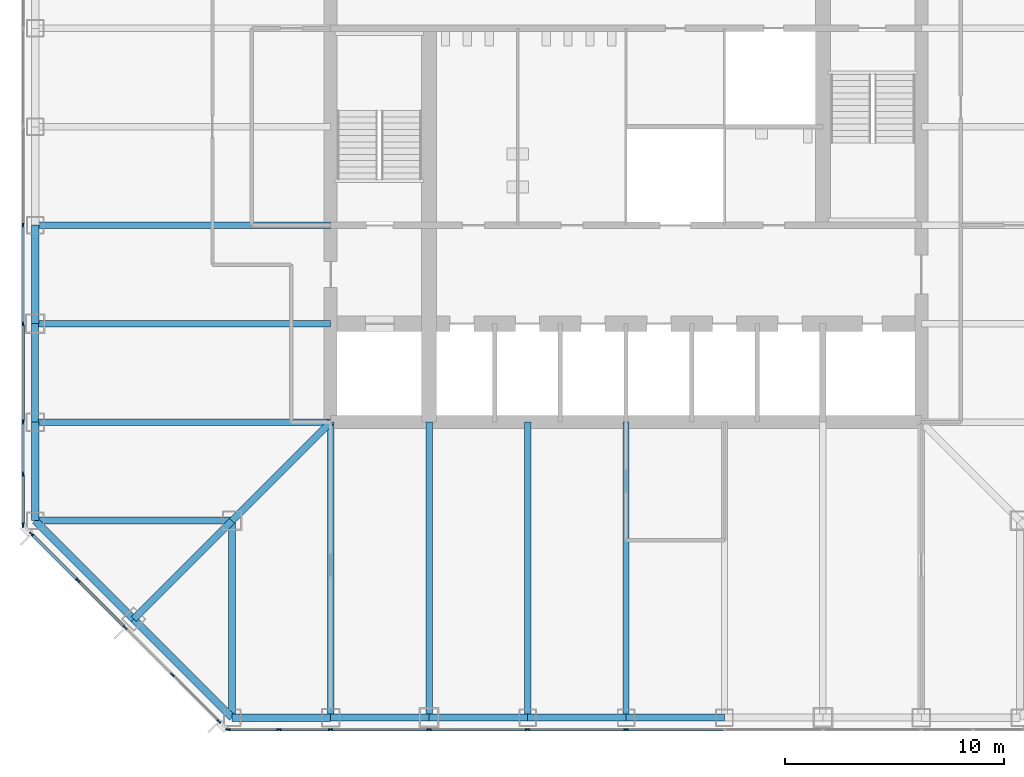
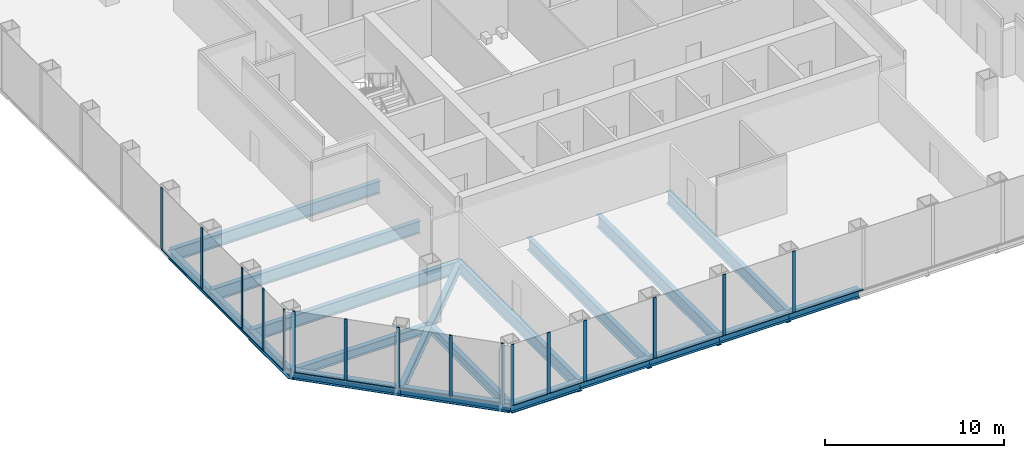
# One storey, part 2 of 12: 28 members, 21 beams, 3 elements without a shape of their own.
"""IFC4 building model written with IfcOpenShell, lengths in metres."""

from ifc_helpers import new_model, si_unit, direction, frame, origin, origin_2d, place, context, subcontext, project, spatial, rectangle, i_section, extrude, material, material_profile, profile_set, type_object, element, aggregate, save


model = new_model("IFC4")

# Units and contexts
model_context = context("Model", 3, precision=1e-05, world=origin(), true_north=direction((0.0, 1.0)))
body_context = subcontext(model_context, "Body", "Model", "MODEL_VIEW")
ifc_project = project(units=[si_unit("LENGTHUNIT", "METRE"), si_unit("AREAUNIT", "SQUARE_METRE"), si_unit("VOLUMEUNIT", "CUBIC_METRE"), si_unit("PLANEANGLEUNIT", "RADIAN"), si_unit("MASSUNIT", "GRAM", prefix="KILO")], contexts=[model_context])

# Site, building, storey
site_placement = place(None, origin())
site = spatial("IfcSite", under=ifc_project, at=site_placement, CompositionType="ELEMENT")
building_placement = place(site_placement, origin())
building = spatial("IfcBuilding", under=site, at=building_placement, Name="Corais Broadcast Tower", CompositionType="ELEMENT")
storey_placement = place(building_placement, frame((0.0, 0.0, 71.0)))
storey = spatial("IfcBuildingStorey", under=building, at=storey_placement, Name="L15", CompositionType="ELEMENT", Elevation=71.0)

# Beams
ifc_material_1 = material(Name="Steel ASTM A572 Grade 50", Category="steel")
ifc_material_profile_1 = material_profile(ifc_material_1, i_section(OverallWidth=0.323974609375, OverallDepth=0.611083984375, WebThickness=0.0126953125, FlangeThickness=0.01904296875, at=origin_2d()), Name="W610x155")
ifc_profile_set_1 = profile_set([ifc_material_profile_1], Name="Steel ASTM A572 Grade 50")
beam_type_1 = type_object("IfcBeamType", Name="Chamfer tie W610x155", PredefinedType="BEAM", material=ifc_profile_set_1)
beam_1_placement = place(storey_placement, frame((4.5, 4.5, -0.465576171875), z_axis=(0.707106781187, 0.707106781187, 0.0), x_axis=(-0.707106781187, 0.707106781187, 0.0)))
element("IfcBeam", 1, at=beam_1_placement, inside=storey, type_object=beam_type_1, Name="B5 B/4 to C/5", PredefinedType="BEAM", context=body_context, shape_type="SweptSolid", body=[
    extrude(i_section(OverallWidth=0.323974609375, OverallDepth=0.611083984375, WebThickness=0.0126953125, FlangeThickness=0.01904296875, at=origin_2d()), origin(), (0.0, 0.0, 1.0), 6.364013671875),
])
ifc_material_2 = material(Name="Steel ASTM A572 Grade 50", Category="steel")
ifc_material_profile_2 = material_profile(ifc_material_2, i_section(OverallWidth=0.323974609375, OverallDepth=0.611083984375, WebThickness=0.0126953125, FlangeThickness=0.01904296875, at=origin_2d()), Name="W610x155")
ifc_profile_set_2 = profile_set([ifc_material_profile_2], Name="Steel ASTM A572 Grade 50")
beam_type_2 = type_object("IfcBeamType", Name="Corner diagonal W610x155", PredefinedType="BEAM", material=ifc_profile_set_2)
beam_2_placement = place(storey_placement, frame((9.0, 9.0, -0.465576171875), z_axis=(0.707106781187, 0.707106781187, 0.0), x_axis=(-0.707106781187, 0.707106781187, 0.0)))
element("IfcBeam", 2, at=beam_2_placement, inside=storey, type_object=beam_type_2, Name="B6 C/5 to D/6", PredefinedType="BEAM", context=body_context, shape_type="SweptSolid", body=[
    extrude(i_section(OverallWidth=0.323974609375, OverallDepth=0.611083984375, WebThickness=0.0126953125, FlangeThickness=0.01904296875, at=origin_2d()), origin(), (0.0, 0.0, 1.0), 6.364013671875),
])
ifc_material_3 = material(Name="Steel ASTM A572 Grade 50", Category="steel")
ifc_material_profile_3 = material_profile(ifc_material_3, i_section(OverallWidth=0.323974609375, OverallDepth=0.611083984375, WebThickness=0.0126953125, FlangeThickness=0.01904296875, at=origin_2d()), Name="W610x155")
ifc_profile_set_3 = profile_set([ifc_material_profile_3], Name="Steel ASTM A572 Grade 50")
beam_type_3 = type_object("IfcBeamType", Name="Corner girder W610x155", PredefinedType="BEAM", material=ifc_profile_set_3)
for number, where, z_axis, x_axis, name in (
    (3, (0.0, 9.0, -0.465576171875), (1.0, 0.0, 0.0), (0.0, 1.0, 0.0), "B4 C/3 to C/5"),
    (4, (9.0, 0.0, -0.465576171875), (0.0, 1.0, 0.0), (-1.0, 0.0, 0.0), "B4 A/5 to C/5"),
):
    element("IfcBeam", number, at=place(storey_placement, frame(where, z_axis=z_axis, x_axis=x_axis)), inside=storey, type_object=beam_type_3, Name=name, PredefinedType="BEAM", context=body_context, shape_type="SweptSolid", body=[
        extrude(i_section(OverallWidth=0.323974609375, OverallDepth=0.611083984375, WebThickness=0.0126953125, FlangeThickness=0.01904296875, at=origin_2d()), origin(), (0.0, 0.0, 1.0), 9.0),
    ])
ifc_material_4 = material(Name="Steel ASTM A572 Grade 50", Category="steel")
ifc_material_profile_4 = material_profile(ifc_material_4, i_section(OverallWidth=0.337890625, OverallDepth=0.677978515625, WebThickness=0.029541015625, FlangeThickness=0.052978515625, at=origin_2d()), Name="W610x415")
ifc_profile_set_4 = profile_set([ifc_material_profile_4], Name="Steel ASTM A572 Grade 50")
beam_type_4 = type_object("IfcBeamType", Name="Corner spandrel W610x415", PredefinedType="BEAM", material=ifc_profile_set_4)
for number, where, z_axis, x_axis, name in (
    (5, (0.0, 13.5, -0.4990234375), (0.0, -1.0, 0.0), (1.0, 0.0, 0.0), "SB10 D/3 to C/3"),
    (6, (9.0, 0.0, -0.4990234375), (1.0, 0.0, 0.0), (0.0, 1.0, 0.0), "SB10 A/5 to A/6"),
):
    element("IfcBeam", number, at=place(storey_placement, frame(where, z_axis=z_axis, x_axis=x_axis)), inside=storey, type_object=beam_type_4, Name=name, PredefinedType="BEAM", context=body_context, shape_type="SweptSolid", body=[
        extrude(i_section(OverallWidth=0.337890625, OverallDepth=0.677978515625, WebThickness=0.029541015625, FlangeThickness=0.052978515625, at=origin_2d()), origin(), (0.0, 0.0, 1.0), 4.5),
    ])
ifc_material_5 = material(Name="Steel ASTM A572 Grade 50", Category="steel")
ifc_material_profile_5 = material_profile(ifc_material_5, i_section(OverallWidth=0.2939453125, OverallDepth=0.85107421875, WebThickness=0.01611328125, FlangeThickness=0.02685546875, at=origin_2d()), Name="W840x226")
ifc_profile_set_5 = profile_set([ifc_material_profile_5], Name="Steel ASTM A572 Grade 50")
beam_type_5 = type_object("IfcBeamType", Name="Floor beam W840x226", PredefinedType="BEAM", material=ifc_profile_set_5)
for number, where, z_axis, x_axis, name in (
    (7, (0.0, 13.5, -0.58544921875), (1.0, 0.0, 0.0), (0.0, 1.0, 0.0), "B1 D/3 to D/6"),
    (8, (0.0, 18.0, -0.58544921875), (1.0, 0.0, 0.0), (0.0, 1.0, 0.0), "B1 E/3 to E/6"),
    (9, (0.0, 22.5, -0.58544921875), (1.0, 0.0, 0.0), (0.0, 1.0, 0.0), "B1 F/3 to F/6"),
    (10, (13.5, 0.0, -0.58544921875), (0.0, 1.0, 0.0), (-1.0, 0.0, 0.0), "B1 A/6 to D/6"),
    (11, (18.0, 0.0, -0.58544921875), (0.0, 1.0, 0.0), (-1.0, 0.0, 0.0), "B1 A/7 to D/7"),
    (12, (22.5, 0.0, -0.58544921875), (0.0, 1.0, 0.0), (-1.0, 0.0, 0.0), "B1 A/8 to D/8"),
    (13, (27.0, 0.0, -0.58544921875), (0.0, 1.0, 0.0), (-1.0, 0.0, 0.0), "B1 A/9 to D/9"),
):
    element("IfcBeam", number, at=place(storey_placement, frame(where, z_axis=z_axis, x_axis=x_axis)), inside=storey, type_object=beam_type_5, Name=name, PredefinedType="BEAM", context=body_context, shape_type="SweptSolid", body=[
        extrude(i_section(OverallWidth=0.2939453125, OverallDepth=0.85107421875, WebThickness=0.01611328125, FlangeThickness=0.02685546875, at=origin_2d()), origin(), (0.0, 0.0, 1.0), 13.5),
    ])

# Curtain wall, members
ifc_material_6 = material(Name="Aluminium and glass", Category="aluminium")
curtain_wall_type = type_object("IfcCurtainWallType", Name="Unitised fritted curtain wall CW1", PredefinedType="NOTDEFINED", material=ifc_material_6)
curtain_wall_1_placement = place(storey_placement, origin())
curtain_wall_1 = element("IfcCurtainWall", 14, at=curtain_wall_1_placement, inside=storey, type_object=curtain_wall_type, Name="CW1 curtain wall L15 1", PredefinedType="NOTDEFINED")
ifc_material_7 = material(Name="Aluminium 6063-T6", Category="aluminium")
ifc_material_profile_6 = material_profile(ifc_material_7, rectangle(XDim=0.06494140625, YDim=0.199951171875, at=origin_2d()), Name="Mullion CW1 65x200")
ifc_profile_set_6 = profile_set([ifc_material_profile_6], Name="Aluminium 6063-T6")
member_type_1 = type_object("IfcMemberType", Name="Mullion CW1 65x200", PredefinedType="MULLION", material=ifc_profile_set_6)
member_1_placement = place(storey_placement, frame((8.3955078125, -0.17333984375, 0.0), z_axis=(0.0, 0.0, 1.0), x_axis=(-0.707106781187, -0.707106781187, 0.0)))
member_1 = element("IfcMember", 15, at=member_1_placement, type_object=member_type_1, Name="CW1 mullion 1", PredefinedType="MULLION", context=body_context, shape_type="SweptSolid", body=[
    extrude(rectangle(XDim=0.06494140625, YDim=0.199951171875, at=origin_2d()), origin(), (0.0, 0.0, 1.0), 4.199951171875),
])
member_2_placement = place(storey_placement, frame((6.264892578125, 1.957275390625, 0.0), z_axis=(0.0, 0.0, 1.0), x_axis=(-0.707106781187, -0.707106781187, 0.0)))
member_2 = element("IfcMember", 16, at=member_2_placement, type_object=member_type_1, Name="CW1 mullion 2", PredefinedType="MULLION", context=body_context, shape_type="SweptSolid", body=[
    extrude(rectangle(XDim=0.06494140625, YDim=0.199951171875, at=origin_2d()), origin(), (0.0, 0.0, 1.0), 4.199951171875),
])
member_3_placement = place(storey_placement, frame((4.111083984375, 4.111083984375, 0.0), z_axis=(0.0, 0.0, 1.0), x_axis=(-0.707106781187, -0.707106781187, 0.0)))
member_3 = element("IfcMember", 17, at=member_3_placement, type_object=member_type_1, Name="CW1 mullion 3", PredefinedType="MULLION", context=body_context, shape_type="SweptSolid", body=[
    extrude(rectangle(XDim=0.06494140625, YDim=0.199951171875, at=origin_2d()), origin(), (0.0, 0.0, 1.0), 4.199951171875),
])
member_4_placement = place(storey_placement, frame((1.957275390625, 6.264892578125, 0.0), z_axis=(0.0, 0.0, 1.0), x_axis=(-0.707106781187, -0.707106781187, 0.0)))
member_4 = element("IfcMember", 18, at=member_4_placement, type_object=member_type_1, Name="CW1 mullion 4", PredefinedType="MULLION", context=body_context, shape_type="SweptSolid", body=[
    extrude(rectangle(XDim=0.06494140625, YDim=0.199951171875, at=origin_2d()), origin(), (0.0, 0.0, 1.0), 4.199951171875),
])
member_5_placement = place(storey_placement, frame((-0.17333984375, 8.3955078125, 0.0), z_axis=(0.0, 0.0, 1.0), x_axis=(-0.707106781187, -0.707106781187, 0.0)))
member_5 = element("IfcMember", 19, at=member_5_placement, type_object=member_type_1, Name="CW1 mullion 5", PredefinedType="MULLION", context=body_context, shape_type="SweptSolid", body=[
    extrude(rectangle(XDim=0.06494140625, YDim=0.199951171875, at=origin_2d()), origin(), (0.0, 0.0, 1.0), 4.199951171875),
])

curtain_wall_2_placement = place(storey_placement, origin())
curtain_wall_2 = element("IfcCurtainWall", 20, at=curtain_wall_2_placement, inside=storey, type_object=curtain_wall_type, Name="CW1 curtain wall L15 2", PredefinedType="NOTDEFINED")
member_6_placement = place(storey_placement, frame((-0.550048828125, 8.8046875, 0.0), z_axis=(0.0, 0.0, 1.0), x_axis=(-1.0, 0.0, 0.0)))
member_6 = element("IfcMember", 21, at=member_6_placement, type_object=member_type_1, Name="CW1 mullion 1", PredefinedType="MULLION", context=body_context, shape_type="SweptSolid", body=[
    extrude(rectangle(XDim=0.06494140625, YDim=0.199951171875, at=origin_2d()), origin(), (0.0, 0.0, 1.0), 4.199951171875),
])
member_7_placement = place(storey_placement, frame((-0.550048828125, 11.135986328125, 0.0), z_axis=(0.0, 0.0, 1.0), x_axis=(-1.0, 0.0, 0.0)))
member_7 = element("IfcMember", 22, at=member_7_placement, type_object=member_type_1, Name="CW1 mullion 2", PredefinedType="MULLION", context=body_context, shape_type="SweptSolid", body=[
    extrude(rectangle(XDim=0.06494140625, YDim=0.199951171875, at=origin_2d()), origin(), (0.0, 0.0, 1.0), 4.199951171875),
])
member_8_placement = place(storey_placement, frame((-0.550048828125, 13.5, 0.0), z_axis=(0.0, 0.0, 1.0), x_axis=(-1.0, 0.0, 0.0)))
member_8 = element("IfcMember", 23, at=member_8_placement, type_object=member_type_1, Name="CW1 mullion 3", PredefinedType="MULLION", context=body_context, shape_type="SweptSolid", body=[
    extrude(rectangle(XDim=0.06494140625, YDim=0.199951171875, at=origin_2d()), origin(), (0.0, 0.0, 1.0), 4.199951171875),
])
member_9_placement = place(storey_placement, frame((-0.550048828125, 18.0, 0.0), z_axis=(0.0, 0.0, 1.0), x_axis=(-1.0, 0.0, 0.0)))
member_9 = element("IfcMember", 24, at=member_9_placement, type_object=member_type_1, Name="CW1 mullion 4", PredefinedType="MULLION", context=body_context, shape_type="SweptSolid", body=[
    extrude(rectangle(XDim=0.06494140625, YDim=0.199951171875, at=origin_2d()), origin(), (0.0, 0.0, 1.0), 4.199951171875),
])
member_10_placement = place(storey_placement, frame((-0.550048828125, 22.5, 0.0), z_axis=(0.0, 0.0, 1.0), x_axis=(-1.0, 0.0, 0.0)))
member_10 = element("IfcMember", 25, at=member_10_placement, type_object=member_type_1, Name="CW1 mullion 5", PredefinedType="MULLION", context=body_context, shape_type="SweptSolid", body=[
    extrude(rectangle(XDim=0.06494140625, YDim=0.199951171875, at=origin_2d()), origin(), (0.0, 0.0, 1.0), 4.199951171875),
])

curtain_wall_3_placement = place(storey_placement, origin())
curtain_wall_3 = element("IfcCurtainWall", 26, at=curtain_wall_3_placement, inside=storey, type_object=curtain_wall_type, Name="CW1 curtain wall L15 8", PredefinedType="NOTDEFINED")
member_11_placement = place(storey_placement, frame((27.0, -0.550048828125, 0.0), z_axis=(0.0, 0.0, 1.0), x_axis=(0.0, -1.0, 0.0)))
member_11 = element("IfcMember", 27, at=member_11_placement, type_object=member_type_1, Name="CW1 mullion 6", PredefinedType="MULLION", context=body_context, shape_type="SweptSolid", body=[
    extrude(rectangle(XDim=0.06494140625, YDim=0.199951171875, at=origin_2d()), origin(), (0.0, 0.0, 1.0), 4.199951171875),
])
member_12_placement = place(storey_placement, frame((22.5, -0.550048828125, 0.0), z_axis=(0.0, 0.0, 1.0), x_axis=(0.0, -1.0, 0.0)))
member_12 = element("IfcMember", 28, at=member_12_placement, type_object=member_type_1, Name="CW1 mullion 7", PredefinedType="MULLION", context=body_context, shape_type="SweptSolid", body=[
    extrude(rectangle(XDim=0.06494140625, YDim=0.199951171875, at=origin_2d()), origin(), (0.0, 0.0, 1.0), 4.199951171875),
])
member_13_placement = place(storey_placement, frame((18.0, -0.550048828125, 0.0), z_axis=(0.0, 0.0, 1.0), x_axis=(0.0, -1.0, 0.0)))
member_13 = element("IfcMember", 29, at=member_13_placement, type_object=member_type_1, Name="CW1 mullion 8", PredefinedType="MULLION", context=body_context, shape_type="SweptSolid", body=[
    extrude(rectangle(XDim=0.06494140625, YDim=0.199951171875, at=origin_2d()), origin(), (0.0, 0.0, 1.0), 4.199951171875),
])
member_14_placement = place(storey_placement, frame((13.5, -0.550048828125, 0.0), z_axis=(0.0, 0.0, 1.0), x_axis=(0.0, -1.0, 0.0)))
member_14 = element("IfcMember", 30, at=member_14_placement, type_object=member_type_1, Name="CW1 mullion 9", PredefinedType="MULLION", context=body_context, shape_type="SweptSolid", body=[
    extrude(rectangle(XDim=0.06494140625, YDim=0.199951171875, at=origin_2d()), origin(), (0.0, 0.0, 1.0), 4.199951171875),
])
member_15_placement = place(storey_placement, frame((11.135986328125, -0.550048828125, 0.0), z_axis=(0.0, 0.0, 1.0), x_axis=(0.0, -1.0, 0.0)))
member_15 = element("IfcMember", 31, at=member_15_placement, type_object=member_type_1, Name="CW1 mullion 10", PredefinedType="MULLION", context=body_context, shape_type="SweptSolid", body=[
    extrude(rectangle(XDim=0.06494140625, YDim=0.199951171875, at=origin_2d()), origin(), (0.0, 0.0, 1.0), 4.199951171875),
])
member_16_placement = place(storey_placement, frame((8.8046875, -0.550048828125, 0.0), z_axis=(0.0, 0.0, 1.0), x_axis=(0.0, -1.0, 0.0)))
member_16 = element("IfcMember", 32, at=member_16_placement, type_object=member_type_1, Name="CW1 mullion 11", PredefinedType="MULLION", context=body_context, shape_type="SweptSolid", body=[
    extrude(rectangle(XDim=0.06494140625, YDim=0.199951171875, at=origin_2d()), origin(), (0.0, 0.0, 1.0), 4.199951171875),
])

# Beams
ifc_material_8 = material(Name="Steel ASTM A572 Grade 50", Category="steel")
ifc_material_profile_7 = material_profile(ifc_material_8, i_section(OverallWidth=0.323974609375, OverallDepth=0.611083984375, WebThickness=0.0126953125, FlangeThickness=0.01904296875, at=origin_2d()), Name="W610x155")
ifc_profile_set_7 = profile_set([ifc_material_profile_7], Name="Steel ASTM A572 Grade 50")
beam_type_6 = type_object("IfcBeamType", Name="Pinned spandrel W610x155", PredefinedType="BEAM", material=ifc_profile_set_7)
for number, where, z_axis, x_axis, name in (
    (33, (0.0, 18.0, -0.465576171875), (0.0, -1.0, 0.0), (1.0, 0.0, 0.0), "SB6 E/3 to D/3"),
    (34, (13.5, 0.0, -0.465576171875), (1.0, 0.0, 0.0), (0.0, 1.0, 0.0), "SB6 A/6 to A/7"),
):
    element("IfcBeam", number, at=place(storey_placement, frame(where, z_axis=z_axis, x_axis=x_axis)), inside=storey, type_object=beam_type_6, Name=name, PredefinedType="BEAM", context=body_context, shape_type="SweptSolid", body=[
        extrude(i_section(OverallWidth=0.323974609375, OverallDepth=0.611083984375, WebThickness=0.0126953125, FlangeThickness=0.01904296875, at=origin_2d()), origin(), (0.0, 0.0, 1.0), 4.5),
    ])
ifc_material_9 = material(Name="Steel ASTM A572 Grade 50", Category="steel")
ifc_material_profile_8 = material_profile(ifc_material_9, i_section(OverallWidth=0.3291015625, OverallDepth=0.635009765625, WebThickness=0.017822265625, FlangeThickness=0.031005859375, at=origin_2d()), Name="W610x241")
ifc_profile_set_8 = profile_set([ifc_material_profile_8], Name="Steel ASTM A572 Grade 50")
beam_type_7 = type_object("IfcBeamType", Name="Spandrel W610x241", PredefinedType="BEAM", material=ifc_profile_set_8)
beam_3_placement = place(storey_placement, frame((0.0, 22.5, -0.4775390625), z_axis=(0.0, -1.0, 0.0), x_axis=(1.0, 0.0, 0.0)))
element("IfcBeam", 35, at=beam_3_placement, inside=storey, type_object=beam_type_7, Name="SB1 F/3 to E/3", PredefinedType="BEAM", context=body_context, shape_type="SweptSolid", body=[
    extrude(i_section(OverallWidth=0.3291015625, OverallDepth=0.635009765625, WebThickness=0.017822265625, FlangeThickness=0.031005859375, at=origin_2d()), origin(), (0.0, 0.0, 1.0), 4.5),
])
beam_4_placement = place(storey_placement, frame((0.0, 9.0, -0.4775390625), z_axis=(0.707106781187, -0.707106781187, 0.0), x_axis=(0.707106781187, 0.707106781187, 0.0)))
element("IfcBeam", 36, at=beam_4_placement, inside=storey, type_object=beam_type_7, Name="SB1 C/3 to B/4", PredefinedType="BEAM", context=body_context, shape_type="SweptSolid", body=[
    extrude(i_section(OverallWidth=0.3291015625, OverallDepth=0.635009765625, WebThickness=0.017822265625, FlangeThickness=0.031005859375, at=origin_2d()), origin(), (0.0, 0.0, 1.0), 6.364013671875),
])
for number, where, z_axis, x_axis, name in (
    (37, (18.0, 0.0, -0.4775390625), (1.0, 0.0, 0.0), (0.0, 1.0, 0.0), "SB1 A/7 to A/8"),
    (38, (22.5, 0.0, -0.4775390625), (1.0, 0.0, 0.0), (0.0, 1.0, 0.0), "SB1 A/8 to A/9"),
    (39, (27.0, 0.0, -0.4775390625), (1.0, 0.0, 0.0), (0.0, 1.0, 0.0), "SB1 A/9 to A/10"),
):
    element("IfcBeam", number, at=place(storey_placement, frame(where, z_axis=z_axis, x_axis=x_axis)), inside=storey, type_object=beam_type_7, Name=name, PredefinedType="BEAM", context=body_context, shape_type="SweptSolid", body=[
        extrude(i_section(OverallWidth=0.3291015625, OverallDepth=0.635009765625, WebThickness=0.017822265625, FlangeThickness=0.031005859375, at=origin_2d()), origin(), (0.0, 0.0, 1.0), 4.5),
    ])
beam_5_placement = place(storey_placement, frame((4.5, 4.5, -0.4775390625), z_axis=(0.707106781187, -0.707106781187, 0.0), x_axis=(0.707106781187, 0.707106781187, 0.0)))
element("IfcBeam", 40, at=beam_5_placement, inside=storey, type_object=beam_type_7, Name="SB1 B/4 to A/5", PredefinedType="BEAM", context=body_context, shape_type="SweptSolid", body=[
    extrude(i_section(OverallWidth=0.3291015625, OverallDepth=0.635009765625, WebThickness=0.017822265625, FlangeThickness=0.031005859375, at=origin_2d()), origin(), (0.0, 0.0, 1.0), 6.364013671875),
])

# Member
ifc_material_10 = material(Name="Aluminium 6063-T6", Category="aluminium")
ifc_material_profile_9 = material_profile(ifc_material_10, rectangle(XDim=0.139892578125, YDim=0.06494140625, at=origin_2d()), Name="Transom CW1 65x140")
ifc_profile_set_9 = profile_set([ifc_material_profile_9], Name="Aluminium 6063-T6")
member_type_2 = type_object("IfcMemberType", Name="Transom CW1 65x140", PredefinedType="USERDEFINED", material=ifc_profile_set_9)
member_17_placement = place(storey_placement, frame((4.088134765625, 4.134033203125, 0.032470703125), z_axis=(-0.707106781187, 0.707106781187, 0.0), x_axis=(-0.707106781187, -0.707106781187, 0.0)))
member_17 = element("IfcMember", 41, at=member_17_placement, type_object=member_type_2, Name="CW1 transom 3.1", ObjectType="TRANSOM", PredefinedType="USERDEFINED", context=body_context, shape_type="SweptSolid", body=[
    extrude(rectangle(XDim=0.139892578125, YDim=0.06494140625, at=origin_2d()), origin(), (0.0, 0.0, 1.0), 2.98095703125),
])

member_18_placement = place(storey_placement, frame((1.934326171875, 6.287841796875, 0.032470703125), z_axis=(-0.707106781187, 0.707106781187, 0.0), x_axis=(-0.707106781187, -0.707106781187, 0.0)))
member_18 = element("IfcMember", 42, at=member_18_placement, type_object=member_type_2, Name="CW1 transom 4.1", ObjectType="TRANSOM", PredefinedType="USERDEFINED", context=body_context, shape_type="SweptSolid", body=[
    extrude(rectangle(XDim=0.139892578125, YDim=0.06494140625, at=origin_2d()), origin(), (0.0, 0.0, 1.0), 2.9482421875),
])

aggregate(curtain_wall_1, [member_1, member_2, member_3, member_4, member_5, member_17, member_18])

member_19_placement = place(storey_placement, frame((-0.550048828125, 8.837158203125, 0.032470703125), z_axis=(0.0, 1.0, 0.0), x_axis=(-1.0, 0.0, 0.0)))
member_19 = element("IfcMember", 43, at=member_19_placement, type_object=member_type_2, Name="CW1 transom 1.1", ObjectType="TRANSOM", PredefinedType="USERDEFINED", context=body_context, shape_type="SweptSolid", body=[
    extrude(rectangle(XDim=0.139892578125, YDim=0.06494140625, at=origin_2d()), origin(), (0.0, 0.0, 1.0), 2.266357421875),
])

member_20_placement = place(storey_placement, frame((-0.550048828125, 11.168701171875, 0.032470703125), z_axis=(0.0, 1.0, 0.0), x_axis=(-1.0, 0.0, 0.0)))
member_20 = element("IfcMember", 44, at=member_20_placement, type_object=member_type_2, Name="CW1 transom 2.1", ObjectType="TRANSOM", PredefinedType="USERDEFINED", context=body_context, shape_type="SweptSolid", body=[
    extrude(rectangle(XDim=0.139892578125, YDim=0.06494140625, at=origin_2d()), origin(), (0.0, 0.0, 1.0), 2.298828125),
])

member_21_placement = place(storey_placement, frame((-0.550048828125, 13.532470703125, 0.032470703125), z_axis=(0.0, 1.0, 0.0), x_axis=(-1.0, 0.0, 0.0)))
member_21 = element("IfcMember", 45, at=member_21_placement, type_object=member_type_2, Name="CW1 transom 3.1", ObjectType="TRANSOM", PredefinedType="USERDEFINED", context=body_context, shape_type="SweptSolid", body=[
    extrude(rectangle(XDim=0.139892578125, YDim=0.06494140625, at=origin_2d()), origin(), (0.0, 0.0, 1.0), 4.43505859375),
])

member_22_placement = place(storey_placement, frame((-0.550048828125, 18.032470703125, 0.032470703125), z_axis=(0.0, 1.0, 0.0), x_axis=(-1.0, 0.0, 0.0)))
member_22 = element("IfcMember", 46, at=member_22_placement, type_object=member_type_2, Name="CW1 transom 4.1", ObjectType="TRANSOM", PredefinedType="USERDEFINED", context=body_context, shape_type="SweptSolid", body=[
    extrude(rectangle(XDim=0.139892578125, YDim=0.06494140625, at=origin_2d()), origin(), (0.0, 0.0, 1.0), 4.43505859375),
])

aggregate(curtain_wall_2, [member_6, member_7, member_8, member_9, member_10, member_19, member_20, member_21, member_22])

member_23_placement = place(storey_placement, frame((31.467529296875, -0.550048828125, 0.032470703125), z_axis=(-1.0, 0.0, 0.0), x_axis=(0.0, -1.0, 0.0)))
member_23 = element("IfcMember", 47, at=member_23_placement, type_object=member_type_2, Name="CW1 transom 5.1", ObjectType="TRANSOM", PredefinedType="USERDEFINED", context=body_context, shape_type="SweptSolid", body=[
    extrude(rectangle(XDim=0.139892578125, YDim=0.06494140625, at=origin_2d()), origin(), (0.0, 0.0, 1.0), 4.43505859375),
])

member_24_placement = place(storey_placement, frame((26.967529296875, -0.550048828125, 0.032470703125), z_axis=(-1.0, 0.0, 0.0), x_axis=(0.0, -1.0, 0.0)))
member_24 = element("IfcMember", 48, at=member_24_placement, type_object=member_type_2, Name="CW1 transom 6.1", ObjectType="TRANSOM", PredefinedType="USERDEFINED", context=body_context, shape_type="SweptSolid", body=[
    extrude(rectangle(XDim=0.139892578125, YDim=0.06494140625, at=origin_2d()), origin(), (0.0, 0.0, 1.0), 4.43505859375),
])

member_25_placement = place(storey_placement, frame((22.467529296875, -0.550048828125, 0.032470703125), z_axis=(-1.0, 0.0, 0.0), x_axis=(0.0, -1.0, 0.0)))
member_25 = element("IfcMember", 49, at=member_25_placement, type_object=member_type_2, Name="CW1 transom 7.1", ObjectType="TRANSOM", PredefinedType="USERDEFINED", context=body_context, shape_type="SweptSolid", body=[
    extrude(rectangle(XDim=0.139892578125, YDim=0.06494140625, at=origin_2d()), origin(), (0.0, 0.0, 1.0), 4.43505859375),
])

member_26_placement = place(storey_placement, frame((17.967529296875, -0.550048828125, 0.032470703125), z_axis=(-1.0, 0.0, 0.0), x_axis=(0.0, -1.0, 0.0)))
member_26 = element("IfcMember", 50, at=member_26_placement, type_object=member_type_2, Name="CW1 transom 8.1", ObjectType="TRANSOM", PredefinedType="USERDEFINED", context=body_context, shape_type="SweptSolid", body=[
    extrude(rectangle(XDim=0.139892578125, YDim=0.06494140625, at=origin_2d()), origin(), (0.0, 0.0, 1.0), 4.43505859375),
])

member_27_placement = place(storey_placement, frame((13.467529296875, -0.550048828125, 0.032470703125), z_axis=(-1.0, 0.0, 0.0), x_axis=(0.0, -1.0, 0.0)))
member_27 = element("IfcMember", 51, at=member_27_placement, type_object=member_type_2, Name="CW1 transom 9.1", ObjectType="TRANSOM", PredefinedType="USERDEFINED", context=body_context, shape_type="SweptSolid", body=[
    extrude(rectangle(XDim=0.139892578125, YDim=0.06494140625, at=origin_2d()), origin(), (0.0, 0.0, 1.0), 2.298828125),
])

member_28_placement = place(storey_placement, frame((11.103515625, -0.550048828125, 0.032470703125), z_axis=(-1.0, 0.0, 0.0), x_axis=(0.0, -1.0, 0.0)))
member_28 = element("IfcMember", 52, at=member_28_placement, type_object=member_type_2, Name="CW1 transom 10.1", ObjectType="TRANSOM", PredefinedType="USERDEFINED", context=body_context, shape_type="SweptSolid", body=[
    extrude(rectangle(XDim=0.139892578125, YDim=0.06494140625, at=origin_2d()), origin(), (0.0, 0.0, 1.0), 2.266357421875),
])

aggregate(curtain_wall_3, [member_11, member_12, member_13, member_14, member_15, member_16, member_23, member_24, member_25, member_26, member_27, member_28])

save(model, "model.ifc")
